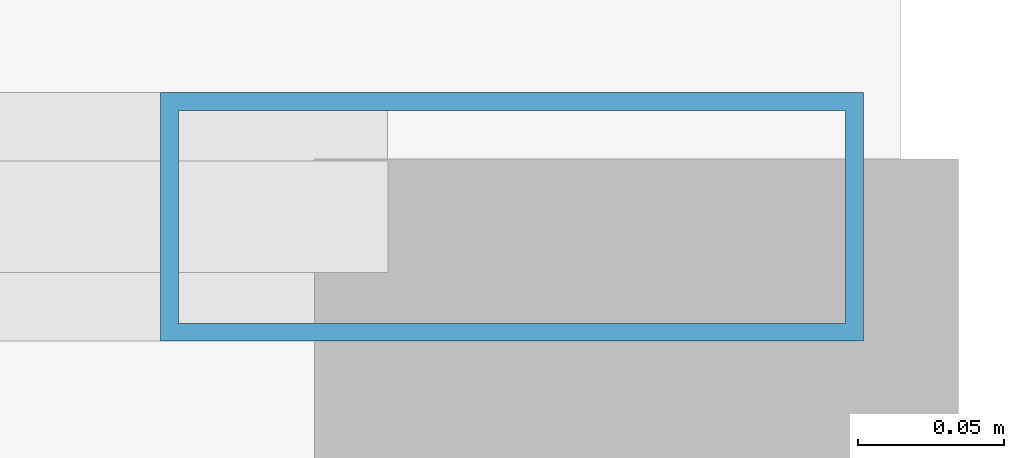
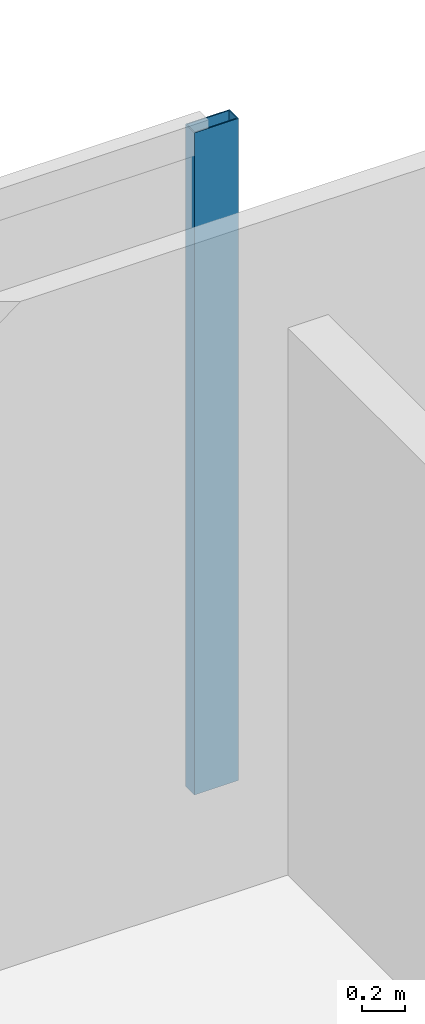
# One storey, part 24 of 34: 1 member, 1 element without a shape of its own.
"""IFC4 building model written with IfcOpenShell, lengths in metres."""

from ifc_helpers import new_model, si_unit, direction, frame, origin, origin_2d, place, context, subcontext, project, spatial, hollow_rectangle, extrude, material, material_profile, profile_set, type_object, element, aggregate, save


model = new_model("IFC4")

# Units and contexts
model_context = context("Model", 3, precision=1e-05, world=origin(), true_north=direction((0.0, 1.0)))
body_context = subcontext(model_context, "Body", "Model", "MODEL_VIEW")
ifc_project = project(units=[si_unit("LENGTHUNIT", "METRE"), si_unit("AREAUNIT", "SQUARE_METRE"), si_unit("VOLUMEUNIT", "CUBIC_METRE"), si_unit("PLANEANGLEUNIT", "RADIAN"), si_unit("MASSUNIT", "GRAM", prefix="KILO")], contexts=[model_context])

# Site, building, storey
site_placement = place(None, origin())
site = spatial("IfcSite", under=ifc_project, at=site_placement, CompositionType="ELEMENT")
building_placement = place(site_placement, origin())
building = spatial("IfcBuilding", under=site, at=building_placement, Name="Khoronbel Lancet Exchange", CompositionType="ELEMENT")
storey_placement = place(building_placement, frame((0.0, 0.0, 102.60009765625)))
storey = spatial("IfcBuildingStorey", under=building, at=storey_placement, Name="L24", CompositionType="ELEMENT", Elevation=102.60009765625)

# Curtain wall, member
ifc_material_1 = material(Name="Low-E Solar Control Insulating Glass", Category="glass")
curtain_wall_type = type_object("IfcCurtainWallType", Name="CW-2", PredefinedType="NOTDEFINED", material=ifc_material_1)
curtain_wall_placement = place(storey_placement, origin())
curtain_wall = element("IfcCurtainWall", 1, at=curtain_wall_placement, inside=storey, type_object=curtain_wall_type, Name="Unitised curtain wall CW-L24-NEFLK", PredefinedType="NOTDEFINED")
ifc_material_2 = material(Name="Bronze-Anodised Aluminium 6063-T6", Category="aluminium")
ifc_material_profile = material_profile(ifc_material_2, hollow_rectangle(XDim=0.0849609375, YDim=0.239990234375, WallThickness=0.006103515625, at=origin_2d()), Name="ALU MULLION 85x240")
ifc_profile_set = profile_set([ifc_material_profile], Name="Bronze-Anodised Aluminium 6063-T6")
member_type = type_object("IfcMemberType", Name="MEM-CWM1", PredefinedType="MULLION", material=ifc_profile_set)
member_placement = place(storey_placement, frame((65.91748046875, 53.610107421875, 0.0), z_axis=(0.0, 0.0, 1.0), x_axis=(0.0, -1.0, 0.0)))
member = element("IfcMember", 2, at=member_placement, type_object=member_type, Name="CW2 mullion 1", PredefinedType="MULLION", context=body_context, shape_type="SweptSolid", body=[
    extrude(hollow_rectangle(XDim=0.0849609375, YDim=0.239990234375, WallThickness=0.006103515625, at=origin_2d()), origin(), (0.0, 0.0, 1.0), 3.7998046875),
])
aggregate(curtain_wall, [member])

save(model, "model.ifc")
